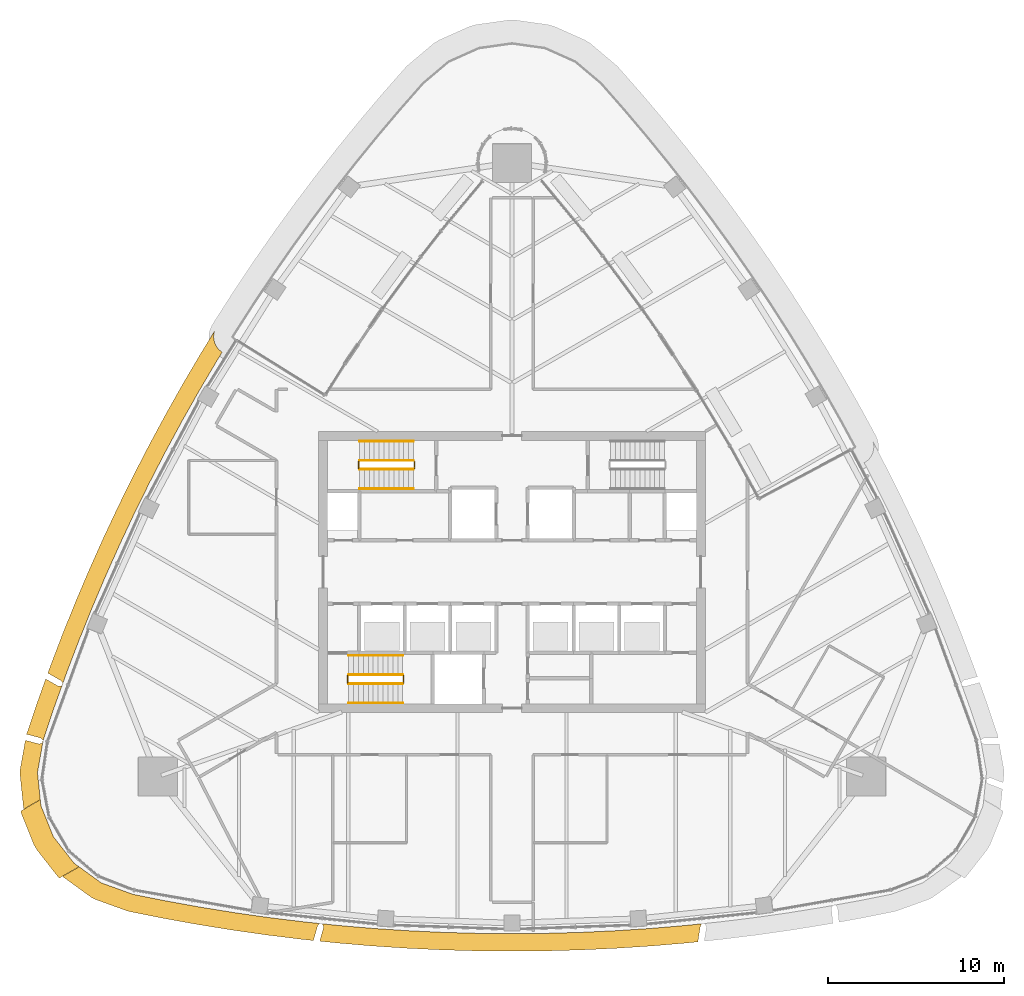
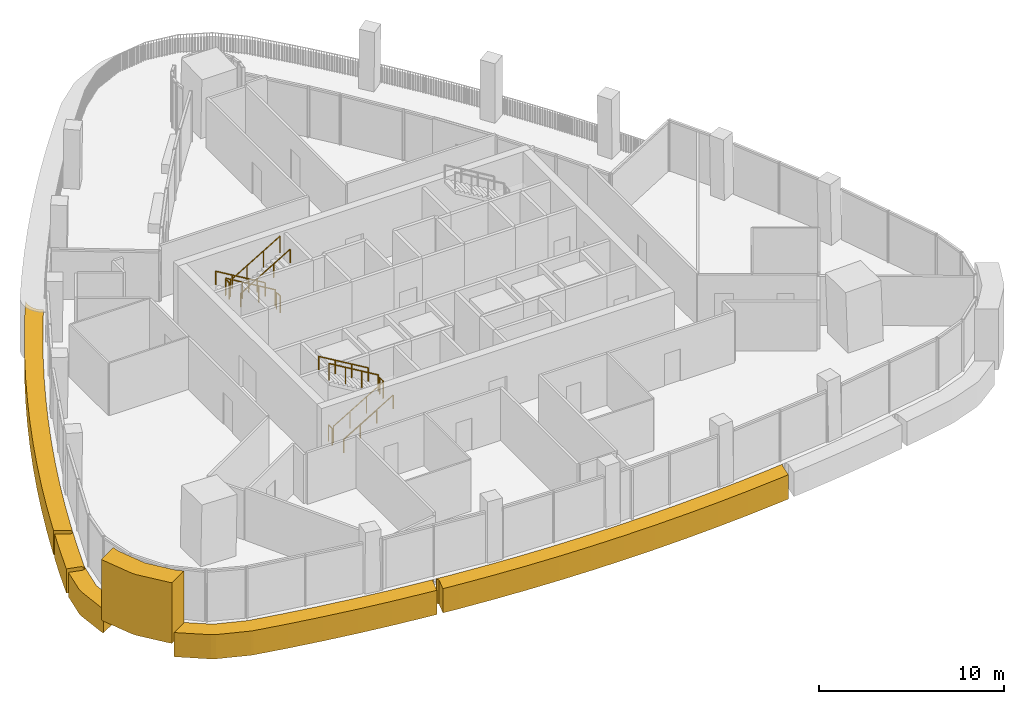
# One storey, part 14 of 18: 12 railings, 4 coverings.
"""IFC4 building model written with IfcOpenShell, lengths in metres."""

import ifcopenshell
import ifcopenshell.guid

model = None  # the IFC model being written
_history = None  # IfcOwnerHistory: only IFC2X3 demands one
_inside = {}  # id of a spatial element -> (the spatial element, [elements in it])
_under = {}  # id of a project, library or spatial element -> (it, [spatial elements below it])
_declared = {}  # id of a project -> (the project, [libraries it declares])
_typed = {}  # id of a type object -> (the type object, [elements of that type])
_made_of = {}  # id of a material, layer set ... -> (it, [elements and type objects made of it])


def new_model(schema):
    """Start an empty IFC model of exactly this schema.

    Asked for "IFC4X3", IfcOpenShell would pick the latest addendum, in which some entities
    have other attributes; the version numbers below select the first issue.
    IFC2X3 requires an IfcOwnerHistory on every rooted entity: one is made here for all.
    """
    global model, _history
    if schema == "IFC4X3":
        model = ifcopenshell.file(schema_version=(4, 3, 0, 0))
    else:
        model = ifcopenshell.file(schema=schema)
    _inside.clear()
    _under.clear()
    _declared.clear()
    _typed.clear()
    _made_of.clear()
    _history = None
    if model.schema == "IFC2X3":
        org = make("IfcOrganization", Name="unknown")
        user = make(
            "IfcPersonAndOrganization",
            ThePerson=make("IfcPerson", FamilyName="unknown"),
            TheOrganization=org,
        )
        app = make(
            "IfcApplication",
            ApplicationDeveloper=org,
            Version="unknown",
            ApplicationFullName="unknown",
            ApplicationIdentifier="unknown",
        )
        _history = make(
            "IfcOwnerHistory",
            OwningUser=user,
            OwningApplication=app,
            ChangeAction="ADDED",
            CreationDate=0,
        )
    return model


def make(cls, **values):
    """One entity of the class cls with the attributes given. An attribute that is None is left unset."""
    return model.create_entity(
        cls, **{name: value for name, value in values.items() if value is not None}
    )


def rooted(cls, **values):
    """An entity with a GlobalId (a new one), such as an element, a storey or a relation."""
    return make(cls, GlobalId=ifcopenshell.guid.new(), OwnerHistory=_history, **values)


def si_unit(unit_type, name, prefix=None):
    """IfcSIUnit, for example si_unit("LENGTHUNIT", "METRE", prefix="MILLI")."""
    return make("IfcSIUnit", UnitType=unit_type, Prefix=prefix, Name=name)


def assignment(units):
    """IfcUnitAssignment: the units of a project."""
    return None if units is None else make("IfcUnitAssignment", Units=units)


def point(xyz):
    """IfcCartesianPoint."""
    return None if xyz is None else make("IfcCartesianPoint", Coordinates=xyz)


def direction(xyz):
    """IfcDirection."""
    return None if xyz is None else make("IfcDirection", DirectionRatios=xyz)


def frame(location, z_axis=None, x_axis=None):
    """IfcAxis2Placement3D, a coordinate frame: its origin and axes. An axis left out is left unset."""
    return make(
        "IfcAxis2Placement3D",
        Location=point(location),
        Axis=direction(z_axis),
        RefDirection=direction(x_axis),
    )


def frame_2d(location, x_axis=None):
    """IfcAxis2Placement2D, a coordinate frame in the plane: its origin and x axis."""
    return make(
        "IfcAxis2Placement2D", Location=point(location), RefDirection=direction(x_axis)
    )


def origin():
    """The frame at (0, 0, 0) with its axes left unset."""
    return frame((0.0, 0.0, 0.0))


def origin_2d():
    """The frame at (0, 0) in the plane with its x axis left unset."""
    return frame_2d((0.0, 0.0))


def place(relative_to, where):
    """IfcLocalPlacement: puts the frame where relative to a parent placement (None: the world)."""
    return make(
        "IfcLocalPlacement", PlacementRelTo=relative_to, RelativePlacement=where
    )


def context(
    kind, dimensions, precision=None, world=None, true_north=None, identifier=None
):
    """IfcGeometricRepresentationContext, for example the 3D "Model" context."""
    return make(
        "IfcGeometricRepresentationContext",
        ContextIdentifier=identifier,
        ContextType=kind,
        CoordinateSpaceDimension=dimensions,
        Precision=precision,
        WorldCoordinateSystem=world,
        TrueNorth=true_north,
    )


def subcontext(parent, identifier, kind, view, scale=None):
    """IfcGeometricRepresentationSubContext, for example "Body" below "Model"."""
    return make(
        "IfcGeometricRepresentationSubContext",
        ContextIdentifier=identifier,
        ContextType=kind,
        ParentContext=parent,
        TargetScale=scale,
        TargetView=view,
    )


def project(units=None, contexts=None):
    """IfcProject with its units and contexts."""
    return rooted(
        "IfcProject",
        Name="project",
        RepresentationContexts=contexts,
        UnitsInContext=assignment(units),
    )


def spatial(cls, under=None, at=None, **own):
    """A site, building, storey or space (cls), placed at a placement, below another one or the project."""
    s = rooted(cls, ObjectPlacement=at, **own)
    if under is not None:
        _under.setdefault(under.id(), (under, []))[1].append(s)
    return s


def polyline(points):
    """IfcPolyline through the points."""
    return make("IfcPolyline", Points=[point(p) for p in points])


def profile(cls, at=None, kind="AREA", **sizes):
    """A parametric profile (cls). Its sizes go by their IFC names, for example OverallWidth=200.0."""
    return make(cls, ProfileType=kind, Position=at, **sizes)


def circle(**sizes):
    """IfcCircleProfileDef."""
    return profile("IfcCircleProfileDef", **sizes)


def outline(outer, holes=None, kind="AREA"):
    """IfcArbitraryClosedProfileDef: a profile drawn as a closed curve; with holes, ...WithVoids."""
    if holes is None:
        return make("IfcArbitraryClosedProfileDef", ProfileType=kind, OuterCurve=outer)
    return make(
        "IfcArbitraryProfileDefWithVoids",
        ProfileType=kind,
        OuterCurve=outer,
        InnerCurves=holes,
    )


def extrude(swept, where, along, depth):
    """IfcExtrudedAreaSolid: the profile swept, set in the frame where, extruded along a direction by depth."""
    return make(
        "IfcExtrudedAreaSolid",
        SweptArea=swept,
        Position=where,
        ExtrudedDirection=direction(along),
        Depth=depth,
    )


def shape(context_of_items, identifier, shape_type, items):
    """IfcShapeRepresentation: the items that make up one representation, for example the "Body"."""
    return make(
        "IfcShapeRepresentation",
        ContextOfItems=context_of_items,
        RepresentationIdentifier=identifier,
        RepresentationType=shape_type,
        Items=items,
    )


def material(Name=None, Category=None):
    """IfcMaterial."""
    return make("IfcMaterial", Name=Name, Category=Category)


def layer(
    of_material, thickness, ventilated=None, Name=None, Category=None, Priority=None
):
    """IfcMaterialLayer: one layer of a wall or slab, of a material (None: an air gap)."""
    return make(
        "IfcMaterialLayer",
        Material=of_material,
        LayerThickness=thickness,
        IsVentilated=ventilated,
        Name=Name,
        Category=Category,
        Priority=Priority,
    )


def layer_set(layers, Name=None):
    """IfcMaterialLayerSet."""
    return make("IfcMaterialLayerSet", MaterialLayers=layers, LayerSetName=Name)


def made_of(thing, what):
    """Note that an element or type object is made of a material, layer set ...; save() writes the relation."""
    if what is not None:
        _made_of.setdefault(what.id(), (what, []))[1].append(thing)
    return thing


def type_object(cls, material=None, **own):
    """A type object (cls), such as IfcWallType, which elements share."""
    return made_of(rooted(cls, **own), material)


def element(
    cls,
    number,
    at=None,
    inside=None,
    cuts=None,
    type_object=None,
    material=None,
    context=None,
    identifier="Body",
    shape_type=None,
    held_by="IfcProductDefinitionShape",
    body=None,
    shapes=None,
    **own,
):
    """One element of the class cls, such as IfcWall. Its Tag is "e" and its number.

    at: its placement. inside: the storey or other place that contains it. cuts: it is an
    opening in that element (IfcRelVoidsElement). A single representation is given by context,
    identifier, shape_type and body (its items); several are given by shapes. held_by: the class
    of the entity that holds the representations. save() writes the other relations.
    """
    e = rooted(cls, Tag="e%d" % number, ObjectPlacement=at, **own)
    if body is not None:
        shapes = [shape(context, identifier, shape_type, body)]
    if shapes is not None:
        e.Representation = make(held_by, Representations=shapes)
    if inside is not None:
        _inside.setdefault(inside.id(), (inside, []))[1].append(e)
    if cuts is not None:
        rooted(
            "IfcRelVoidsElement", RelatingBuildingElement=cuts, RelatedOpeningElement=e
        )
    if type_object is not None:
        _typed.setdefault(type_object.id(), (type_object, []))[1].append(e)
    return made_of(e, material)


def aggregate(whole, parts):
    """IfcRelAggregates: a whole, such as a stair, and the parts it consists of."""
    return rooted("IfcRelAggregates", RelatingObject=whole, RelatedObjects=parts)


def save(model, path):
    """Write the relations noted so far, then the file.

    IfcRelAggregates (storeys below a building ...), IfcRelContainedInSpatialStructure (elements
    in a storey), IfcRelDefinesByType, IfcRelAssociatesMaterial and IfcRelDeclares: one each for
    every whole, place, type object, material and project.
    """
    for whole, parts in _under.values():
        aggregate(whole, parts)
    for where, things in _inside.values():
        rooted(
            "IfcRelContainedInSpatialStructure",
            RelatedElements=things,
            RelatingStructure=where,
        )
    for kind, things in _typed.values():
        rooted("IfcRelDefinesByType", RelatedObjects=things, RelatingType=kind)
    for what, things in _made_of.values():
        rooted("IfcRelAssociatesMaterial", RelatedObjects=things, RelatingMaterial=what)
    for by, libraries in _declared.values():
        rooted("IfcRelDeclares", RelatingContext=by, RelatedDefinitions=libraries)
    model.write(path)


model = new_model("IFC4")

# Units and contexts
model_context = context("Model", 3, precision=1e-05, world=origin(), true_north=direction((0.0, 1.0)))
body_context = subcontext(model_context, "Body", "Model", "MODEL_VIEW")
ifc_project = project(units=[si_unit("LENGTHUNIT", "METRE"), si_unit("AREAUNIT", "SQUARE_METRE"), si_unit("VOLUMEUNIT", "CUBIC_METRE"), si_unit("PLANEANGLEUNIT", "RADIAN"), si_unit("MASSUNIT", "GRAM", prefix="KILO")], contexts=[model_context])

# Site, building, storey
site_placement = place(None, origin())
site = spatial("IfcSite", under=ifc_project, at=site_placement, CompositionType="ELEMENT")
building_placement = place(site_placement, origin())
building = spatial("IfcBuilding", under=site, at=building_placement, Name="Sierra Prisma Convention Tower", CompositionType="ELEMENT")
storey_placement = place(building_placement, frame((0.0, 0.0, 307.0)))
storey = spatial("IfcBuildingStorey", under=building, at=storey_placement, Name="L70", CompositionType="ELEMENT", Elevation=307.0)

# Coverings
ifc_material_1 = material(Name="Aluminium composite bronze anodised", Category="aluminium")
ifc_layer_1 = layer(ifc_material_1, 1.199951171875)
ifc_layer_set_1 = layer_set([ifc_layer_1], Name="Bronze corner pier")
covering_type_1 = type_object("IfcCoveringType", Name="Bronze corner pier", PredefinedType="CLADDING", material=ifc_layer_set_1)
covering_1_placement = place(storey_placement, frame((0.0, 0.0, -0.60009765625)))
element("IfcCovering", 1, at=covering_1_placement, inside=storey, type_object=covering_type_1, Name="Corner pier SW L70.1", PredefinedType="CLADDING", context=body_context, shape_type="SweptSolid", body=[
    extrude(outline(polyline([(-24.640625, -16.7666015625), (-25.75439453125, -17.40966796875), (-25.863037109375, -17.30517578125), (-27.037353515625, -15.803466796875), (-27.204833984375, -15.51318359375), (-27.918212890625, -13.74560546875), (-27.95458984375, -13.59912109375), (-26.8408203125, -12.9560546875), (-26.805419921875, -13.29638671875), (-26.092041015625, -15.064208984375), (-24.917724609375, -16.56591796875), (-24.640625, -16.7666015625)])), origin(), (0.0, 0.0, 1.0), 4.0),
])
ifc_material_2 = material(Name="Aluminium composite bronze anodised", Category="aluminium")
ifc_layer_2 = layer(ifc_material_2, 1.0)
ifc_layer_set_2 = layer_set([ifc_layer_2], Name="Bronze spandrel band")
covering_type_2 = type_object("IfcCoveringType", Name="Bronze spandrel band", PredefinedType="CLADDING", material=ifc_layer_set_2)
covering_2_placement = place(storey_placement, frame((0.0, 0.0, -1.60009765625)))
element("IfcCovering", 2, at=covering_2_placement, inside=storey, type_object=covering_type_2, Name="Spandrel band L70.1", PredefinedType="CLADDING", context=body_context, shape_type="SweptSolid", body=[
    extrude(outline(polyline([(-26.916015625, -9.779296875), (-26.910888671875, -9.77978515625), (-26.906005859375, -9.77978515625), (-26.90087890625, -9.779296875), (-26.89599609375, -9.778564453125), (-26.89111328125, -9.777099609375), (-26.7490234375, -9.726806640625), (-26.74462890625, -9.724853515625), (-26.740478515625, -9.72265625), (-26.736572265625, -9.719970703125), (-26.732666015625, -9.717041015625), (-26.729248046875, -9.713623046875), (-26.726318359375, -9.7099609375), (-26.723388671875, -9.7060546875), (-26.72119140625, -9.701904296875), (-26.71923828125, -9.697509765625), (-26.7177734375, -9.693115234375), (-26.716552734375, -9.688232421875), (-26.698974609375, -9.58984375), (-26.698486328125, -9.585205078125), (-26.6982421875, -9.580078125), (-26.698486328125, -9.575439453125), (-26.699462890625, -9.570556640625), (-26.70068359375, -9.56591796875), (-26.702392578125, -9.561279296875), (-26.70458984375, -9.556884765625), (-26.70703125, -9.552978515625), (-26.7099609375, -9.549072265625), (-26.71337890625, -9.54541015625), (-26.8076171875, -9.452880859375), (-26.811279296875, -9.449462890625), (-26.8154296875, -9.446533203125), (-26.820068359375, -9.444091796875), (-26.82470703125, -9.44189453125), (-26.82958984375, -9.440185546875), (-27.62060546875, -9.2265625), (-27.61474609375, -9.20361328125), (-26.98193359375, -7.33154296875), (-26.9755859375, -7.31396484375), (-26.533203125, -6.081787109375), (-25.831787109375, -6.48291015625), (-25.82763671875, -6.485107421875), (-25.823486328125, -6.48681640625), (-25.81884765625, -6.488037109375), (-25.814453125, -6.489013671875), (-25.809814453125, -6.489501953125), (-25.80517578125, -6.489501953125), (-25.800537109375, -6.489013671875), (-25.642333984375, -6.46826171875), (-25.637451171875, -6.46728515625), (-25.6328125, -6.4658203125), (-25.628173828125, -6.464111328125), (-25.623779296875, -6.461669921875), (-25.619384765625, -6.458984375), (-25.615478515625, -6.455810546875), (-25.612060546875, -6.452392578125), (-25.60888671875, -6.448486328125), (-25.606201171875, -6.444580078125), (-25.603759765625, -6.440185546875), (-25.601806640625, -6.435546875), (-25.568115234375, -6.34130859375), (-25.566650390625, -6.33642578125), (-25.565673828125, -6.331298828125), (-25.565185546875, -6.326171875), (-25.565185546875, -6.321044921875), (-25.56591796875, -6.31591796875), (-25.56689453125, -6.310791015625), (-25.568603515625, -6.305908203125), (-25.57080078125, -6.30126953125), (-25.573486328125, -6.296875), (-25.64111328125, -6.19482421875), (-25.64404296875, -6.19091796875), (-25.647216796875, -6.1875), (-25.650390625, -6.184326171875), (-25.654296875, -6.181396484375), (-25.658203125, -6.178955078125), (-26.4130859375, -5.747314453125), (-26.3076171875, -5.4541015625), (-26.30126953125, -5.4365234375), (-25.598388671875, -3.58984375), (-25.591552734375, -3.572265625), (-24.85400390625, -1.739013671875), (-24.8466796875, -1.7216796875), (-24.074951171875, 0.097412109375), (-24.0673828125, 0.11474609375), (-23.261474609375, 1.9189453125), (-23.253662109375, 1.93603515625), (-22.413818359375, 3.724609375), (-22.40576171875, 3.74169921875), (-21.532470703125, 5.51416015625), (-21.524169921875, 5.531005859375), (-20.61767578125, 7.286865234375), (-20.60888671875, 7.303466796875), (-19.66943359375, 9.0419921875), (-19.660400390625, 9.05859375), (-18.6884765625, 10.779052734375), (-18.67919921875, 10.79541015625), (-17.675048828125, 12.497314453125), (-17.665283203125, 12.51318359375), (-16.911376953125, 13.738037109375), (-16.94091796875, 13.645263671875), (-16.961669921875, 13.547607421875), (-16.97265625, 13.448486328125), (-16.97412109375, 13.348876953125), (-16.9658203125, 13.24951171875), (-16.94775390625, 13.1513671875), (-16.920166015625, 13.055419921875), (-16.883544921875, 12.962890625), (-16.837890625, 12.874267578125), (-16.78369140625, 12.790283203125), (-16.7216796875, 12.712158203125), (-16.652587890625, 12.640380859375), (-16.576416015625, 12.575927734375), (-16.49462890625, 12.51904296875), (-16.489501953125, 12.515869140625), (-16.813720703125, 11.989013671875), (-17.81787109375, 10.287109375), (-18.789794921875, 8.566650390625), (-19.72900390625, 6.828125), (-20.635498046875, 5.072265625), (-21.5087890625, 3.2998046875), (-22.348388671875, 1.510986328125), (-23.154296875, -0.293212890625), (-23.92626953125, -2.1123046875), (-24.663818359375, -3.9453125), (-25.36669921875, -5.792236328125), (-26.03466796875, -7.65185546875), (-26.66748046875, -9.523681640625), (-27.002197265625, -11.400390625), (-26.841796875, -12.9453125), (-27.778564453125, -13.486083984375), (-27.800048828125, -13.39990234375), (-27.996826171875, -11.50390625), (-27.98681640625, -11.224853515625), (-27.69140625, -9.56982421875), (-26.9208984375, -9.7783203125), (-26.916015625, -9.779296875)])), origin(), (0.0, 0.0, 1.0), 1.60009765625),
])
covering_3_placement = place(storey_placement, frame((0.0, 0.0, -1.60009765625)))
element("IfcCovering", 3, at=covering_3_placement, inside=storey, type_object=covering_type_2, Name="Spandrel band L70.2", PredefinedType="CLADDING", context=body_context, shape_type="SweptSolid", body=[
    extrude(outline(polyline([(-21.58154296875, -18.332763671875), (-19.64404296875, -18.720703125), (-17.699462890625, -19.072021484375), (-15.748779296875, -19.38671875), (-13.792236328125, -19.66455078125), (-11.8310546875, -19.90576171875), (-10.935546875, -19.998779296875), (-10.93896484375, -19.999267578125), (-10.944091796875, -20.00048828125), (-10.94873046875, -20.00244140625), (-10.953369140625, -20.004638671875), (-10.957763671875, -20.007568359375), (-10.9619140625, -20.0107421875), (-10.965576171875, -20.014404296875), (-11.04833984375, -20.1044921875), (-11.051513671875, -20.108154296875), (-11.053955078125, -20.112060546875), (-11.056396484375, -20.115966796875), (-11.05810546875, -20.120361328125), (-11.0595703125, -20.124755859375), (-11.2998046875, -20.96630859375), (-11.934326171875, -20.900390625), (-11.953125, -20.898193359375), (-13.914306640625, -20.6572265625), (-13.93310546875, -20.65478515625), (-15.889404296875, -20.376708984375), (-15.907958984375, -20.373779296875), (-17.85888671875, -20.05908203125), (-17.877197265625, -20.055908203125), (-19.82177734375, -19.70458984375), (-19.84033203125, -19.701171875), (-21.77783203125, -19.313232421875), (-21.921630859375, -19.273193359375), (-23.71435546875, -18.624755859375), (-23.9609375, -18.494140625), (-25.504638671875, -17.37548828125), (-25.568603515625, -17.31396484375), (-24.6318359375, -16.773193359375), (-23.374267578125, -17.684326171875), (-21.58154296875, -18.332763671875)])), origin(), (0.0, 0.0, 1.0), 1.60009765625),
])
covering_4_placement = place(storey_placement, frame((0.0, 0.0, -1.60009765625)))
element("IfcCovering", 4, at=covering_4_placement, inside=storey, type_object=covering_type_2, Name="Spandrel band L70.5", PredefinedType="CLADDING", context=body_context, shape_type="SweptSolid", body=[
    extrude(outline(polyline([(0.009521484375, -21.57421875), (-0.009521484375, -21.57421875), (-1.9853515625, -21.5556640625), (-2.004150390625, -21.555419921875), (-3.9794921875, -21.49951171875), (-3.998291015625, -21.498779296875), (-5.971923828125, -21.406005859375), (-5.99072265625, -21.40478515625), (-7.96240234375, -21.27490234375), (-7.981201171875, -21.2734375), (-9.9501953125, -21.106201171875), (-9.968994140625, -21.1044921875), (-10.9462890625, -21.0029296875), (-10.72314453125, -20.220703125), (-10.721923828125, -20.21630859375), (-10.721435546875, -20.211669921875), (-10.72119140625, -20.20703125), (-10.721435546875, -20.202392578125), (-10.721923828125, -20.19775390625), (-10.72314453125, -20.193115234375), (-10.724609375, -20.188720703125), (-10.78271484375, -20.040283203125), (-10.78466796875, -20.035888671875), (-10.787109375, -20.031494140625), (-10.7900390625, -20.02734375), (-10.79345703125, -20.023681640625), (-10.797119140625, -20.020263671875), (-10.801025390625, -20.017333984375), (-10.80517578125, -20.0146484375), (-10.809814453125, -20.012451171875), (-10.812255859375, -20.011474609375), (-9.86572265625, -20.10986328125), (-7.896728515625, -20.277099609375), (-5.925048828125, -20.406982421875), (-3.951171875, -20.5), (-1.975830078125, -20.5556640625), (0.0, -20.57421875), (1.975830078125, -20.5556640625), (3.951171875, -20.5), (5.925048828125, -20.406982421875), (7.896728515625, -20.277099609375), (9.86572265625, -20.10986328125), (10.812255859375, -20.011474609375), (10.809814453125, -20.012451171875), (10.805419921875, -20.0146484375), (10.801025390625, -20.01708984375), (10.797119140625, -20.020263671875), (10.79345703125, -20.023681640625), (10.790283203125, -20.02734375), (10.787353515625, -20.03125), (10.72607421875, -20.125732421875), (10.723388671875, -20.13037109375), (10.72119140625, -20.135009765625), (10.719482421875, -20.139892578125), (10.718505859375, -20.14501953125), (10.575439453125, -21.04150390625), (9.968994140625, -21.1044921875), (9.9501953125, -21.106201171875), (7.981201171875, -21.2734375), (7.96240234375, -21.27490234375), (5.99072265625, -21.40478515625), (5.971923828125, -21.406005859375), (3.998291015625, -21.498779296875), (3.9794921875, -21.49951171875), (2.004150390625, -21.555419921875), (1.9853515625, -21.5556640625), (0.009521484375, -21.57421875)])), origin(), (0.0, 0.0, 1.0), 1.60009765625),
])

# Railings
ifc_material_3 = material(Name="Stainless steel", Category="steel")
railing_type_1 = type_object("IfcRailingType", Name="Exit stair handrail", PredefinedType="HANDRAIL", material=ifc_material_3)
railing_1_placement = place(storey_placement, frame((-9.300048828125, -7.449951171875, 0.166748046875)))
element("IfcRailing", 5, at=railing_1_placement, inside=storey, type_object=railing_type_1, Name="L70 S1 stair handrail 1", PredefinedType="HANDRAIL", context=body_context, shape_type="SweptSolid", body=[
    extrude(circle(Radius=0.02392578125, at=origin_2d()), frame((0.0, 0.0, 0.8759765625), z_axis=(0.859308565015, 0.0, 0.511457515432), x_axis=(0.0, 1.0, 0.0)), (0.0, 0.0, 1.0), 3.58447265625),
    extrude(circle(Radius=0.02099609375, at=origin_2d()), origin(), (0.0, 0.0, 1.0), 0.851806640625),
    extrude(circle(Radius=0.02099609375, at=origin_2d()), frame((1.026611328125, 0.0, 0.611083984375)), (0.0, 0.0, 1.0), 0.851806640625),
    extrude(circle(Radius=0.02099609375, at=origin_2d()), frame((2.053466796875, 0.0, 1.22216796875)), (0.0, 0.0, 1.0), 0.851806640625),
    extrude(circle(Radius=0.02099609375, at=origin_2d()), frame((3.080078125, 0.0, 1.833251953125)), (0.0, 0.0, 1.0), 0.851806640625),
])
railing_2_placement = place(storey_placement, frame((-6.219970703125, -4.75, 2.166748046875)))
element("IfcRailing", 6, at=railing_2_placement, inside=storey, type_object=railing_type_1, Name="L70 S1 stair handrail 2", PredefinedType="HANDRAIL", context=body_context, shape_type="SweptSolid", body=[
    extrude(circle(Radius=0.02392578125, at=origin_2d()), frame((0.0, 0.0, 0.8759765625), z_axis=(-0.859308565015, 0.0, 0.511457515432), x_axis=(0.0, -1.0, 0.0)), (0.0, 0.0, 1.0), 3.58447265625),
    extrude(circle(Radius=0.02099609375, at=origin_2d()), origin(), (0.0, 0.0, 1.0), 0.851806640625),
    extrude(circle(Radius=0.02099609375, at=origin_2d()), frame((-1.026611328125, 0.0, 0.611083984375)), (0.0, 0.0, 1.0), 0.851806640625),
    extrude(circle(Radius=0.02099609375, at=origin_2d()), frame((-2.053466796875, 0.0, 1.22216796875)), (0.0, 0.0, 1.0), 0.851806640625),
    extrude(circle(Radius=0.02099609375, at=origin_2d()), frame((-3.080078125, 0.0, 1.833251953125)), (0.0, 0.0, 1.0), 0.851806640625),
])
railing_3_placement = place(storey_placement, frame((-5.60009765625, 7.449951171875, 0.166748046875)))
element("IfcRailing", 7, at=railing_3_placement, inside=storey, type_object=railing_type_1, Name="L70 S3 stair handrail 1", PredefinedType="HANDRAIL", context=body_context, shape_type="SweptSolid", body=[
    extrude(circle(Radius=0.02392578125, at=origin_2d()), frame((0.0, 0.0, 0.8759765625), z_axis=(-0.859290745958, 0.0, 0.51148745235), x_axis=(0.0, -1.0, 0.0)), (0.0, 0.0, 1.0), 3.584228515625),
    extrude(circle(Radius=0.02099609375, at=origin_2d()), origin(), (0.0, 0.0, 1.0), 0.851806640625),
    extrude(circle(Radius=0.02099609375, at=origin_2d()), frame((-1.026611328125, 0.0, 0.611083984375)), (0.0, 0.0, 1.0), 0.851806640625),
    extrude(circle(Radius=0.02099609375, at=origin_2d()), frame((-2.05322265625, 0.0, 1.22216796875)), (0.0, 0.0, 1.0), 0.851806640625),
    extrude(circle(Radius=0.02099609375, at=origin_2d()), frame((-3.079833984375, 0.0, 1.833251953125)), (0.0, 0.0, 1.0), 0.851806640625),
])
railing_4_placement = place(storey_placement, frame((-8.679931640625, 4.75, 2.166748046875)))
element("IfcRailing", 8, at=railing_4_placement, inside=storey, type_object=railing_type_1, Name="L70 S3 stair handrail 2", PredefinedType="HANDRAIL", context=body_context, shape_type="SweptSolid", body=[
    extrude(circle(Radius=0.02392578125, at=origin_2d()), frame((0.0, 0.0, 0.8759765625), z_axis=(0.859290745958, 0.0, 0.51148745235), x_axis=(0.0, 1.0, 0.0)), (0.0, 0.0, 1.0), 3.584228515625),
    extrude(circle(Radius=0.02099609375, at=origin_2d()), origin(), (0.0, 0.0, 1.0), 0.851806640625),
    extrude(circle(Radius=0.02099609375, at=origin_2d()), frame((1.026611328125, 0.0, 0.611083984375)), (0.0, 0.0, 1.0), 0.851806640625),
    extrude(circle(Radius=0.02099609375, at=origin_2d()), frame((2.05322265625, 0.0, 1.22216796875)), (0.0, 0.0, 1.0), 0.851806640625),
    extrude(circle(Radius=0.02099609375, at=origin_2d()), frame((3.079833984375, 0.0, 1.833251953125)), (0.0, 0.0, 1.0), 0.851806640625),
])
ifc_material_4 = material(Name="Stainless steel", Category="steel")
railing_type_2 = type_object("IfcRailingType", Name="Stair guard 1100", PredefinedType="GUARDRAIL", material=ifc_material_4)
railing_5_placement = place(storey_placement, frame((-9.300048828125, -6.35009765625, 0.166748046875)))
element("IfcRailing", 9, at=railing_5_placement, inside=storey, type_object=railing_type_2, Name="L70 S1 stair guard 1", PredefinedType="GUARDRAIL", context=body_context, shape_type="SweptSolid", body=[
    extrude(circle(Radius=0.02392578125, at=origin_2d()), frame((0.0, 0.0, 1.076171875), z_axis=(0.859308565015, 0.0, 0.511457515432), x_axis=(0.0, 1.0, 0.0)), (0.0, 0.0, 1.0), 3.58447265625),
    extrude(circle(Radius=0.02099609375, at=origin_2d()), origin(), (0.0, 0.0, 1.0), 1.052001953125),
    extrude(circle(Radius=0.02099609375, at=origin_2d()), frame((1.026611328125, 0.0, 0.611083984375)), (0.0, 0.0, 1.0), 1.052001953125),
    extrude(circle(Radius=0.02099609375, at=origin_2d()), frame((2.053466796875, 0.0, 1.22216796875)), (0.0, 0.0, 1.0), 1.052001953125),
    extrude(circle(Radius=0.02099609375, at=origin_2d()), frame((3.080078125, 0.0, 1.833251953125)), (0.0, 0.0, 1.0), 1.052001953125),
])
railing_6_placement = place(storey_placement, frame((-6.169921875, -6.300048828125, 2.0)))
element("IfcRailing", 10, at=railing_6_placement, inside=storey, type_object=railing_type_2, Name="L70 S1 stair guard 2", PredefinedType="GUARDRAIL", context=body_context, shape_type="SweptSolid", body=[
    extrude(circle(Radius=0.02392578125, at=origin_2d()), frame((0.0, 0.0, 1.076171875), z_axis=(0.0, 1.0, 0.0), x_axis=(-1.0, 0.0, 0.0)), (0.0, 0.0, 1.0), 0.400146484375),
    extrude(circle(Radius=0.02099609375, at=origin_2d()), origin(), (0.0, 0.0, 1.0), 1.052001953125),
    extrude(circle(Radius=0.02099609375, at=origin_2d()), frame((0.0, 0.400146484375, 0.0)), (0.0, 0.0, 1.0), 1.052001953125),
])
railing_7_placement = place(storey_placement, frame((-6.219970703125, -5.85009765625, 2.166748046875)))
element("IfcRailing", 11, at=railing_7_placement, inside=storey, type_object=railing_type_2, Name="L70 S1 stair guard 3", PredefinedType="GUARDRAIL", context=body_context, shape_type="SweptSolid", body=[
    extrude(circle(Radius=0.02392578125, at=origin_2d()), frame((0.0, 0.0, 1.076171875), z_axis=(-0.859308565015, 0.0, 0.511457515432), x_axis=(0.0, -1.0, 0.0)), (0.0, 0.0, 1.0), 3.58447265625),
    extrude(circle(Radius=0.02099609375, at=origin_2d()), origin(), (0.0, 0.0, 1.0), 1.052001953125),
    extrude(circle(Radius=0.02099609375, at=origin_2d()), frame((-1.026611328125, 0.0, 0.611083984375)), (0.0, 0.0, 1.0), 1.052001953125),
    extrude(circle(Radius=0.02099609375, at=origin_2d()), frame((-2.053466796875, 0.0, 1.22216796875)), (0.0, 0.0, 1.0), 1.052001953125),
    extrude(circle(Radius=0.02099609375, at=origin_2d()), frame((-3.080078125, 0.0, 1.833251953125)), (0.0, 0.0, 1.0), 1.052001953125),
])
railing_8_placement = place(storey_placement, frame((-9.35009765625, -6.300048828125, 0.0)))
element("IfcRailing", 12, at=railing_8_placement, inside=storey, type_object=railing_type_2, Name="L70 S1 stair guard 4", PredefinedType="GUARDRAIL", context=body_context, shape_type="SweptSolid", body=[
    extrude(circle(Radius=0.02392578125, at=origin_2d()), frame((0.0, 0.0, 1.076171875), z_axis=(0.0, 1.0, 0.0), x_axis=(-1.0, 0.0, 0.0)), (0.0, 0.0, 1.0), 0.400146484375),
    extrude(circle(Radius=0.02099609375, at=origin_2d()), origin(), (0.0, 0.0, 1.0), 1.052001953125),
    extrude(circle(Radius=0.02099609375, at=origin_2d()), frame((0.0, 0.400146484375, 0.0)), (0.0, 0.0, 1.0), 1.052001953125),
])
railing_9_placement = place(storey_placement, frame((-5.60009765625, 6.35009765625, 0.166748046875)))
element("IfcRailing", 13, at=railing_9_placement, inside=storey, type_object=railing_type_2, Name="L70 S3 stair guard 1", PredefinedType="GUARDRAIL", context=body_context, shape_type="SweptSolid", body=[
    extrude(circle(Radius=0.02392578125, at=origin_2d()), frame((0.0, 0.0, 1.076171875), z_axis=(-0.859290745958, 0.0, 0.51148745235), x_axis=(0.0, -1.0, 0.0)), (0.0, 0.0, 1.0), 3.584228515625),
    extrude(circle(Radius=0.02099609375, at=origin_2d()), origin(), (0.0, 0.0, 1.0), 1.052001953125),
    extrude(circle(Radius=0.02099609375, at=origin_2d()), frame((-1.026611328125, 0.0, 0.611083984375)), (0.0, 0.0, 1.0), 1.052001953125),
    extrude(circle(Radius=0.02099609375, at=origin_2d()), frame((-2.05322265625, 0.0, 1.22216796875)), (0.0, 0.0, 1.0), 1.052001953125),
    extrude(circle(Radius=0.02099609375, at=origin_2d()), frame((-3.079833984375, 0.0, 1.833251953125)), (0.0, 0.0, 1.0), 1.052001953125),
])
railing_10_placement = place(storey_placement, frame((-8.72998046875, 6.300048828125, 2.0)))
element("IfcRailing", 14, at=railing_10_placement, inside=storey, type_object=railing_type_2, Name="L70 S3 stair guard 2", PredefinedType="GUARDRAIL", context=body_context, shape_type="SweptSolid", body=[
    extrude(circle(Radius=0.02392578125, at=origin_2d()), frame((0.0, 0.0, 1.076171875), z_axis=(0.0, -1.0, 0.0), x_axis=(1.0, 0.0, 0.0)), (0.0, 0.0, 1.0), 0.400146484375),
    extrude(circle(Radius=0.02099609375, at=origin_2d()), origin(), (0.0, 0.0, 1.0), 1.052001953125),
    extrude(circle(Radius=0.02099609375, at=origin_2d()), frame((0.0, -0.400146484375, 0.0)), (0.0, 0.0, 1.0), 1.052001953125),
])
railing_11_placement = place(storey_placement, frame((-8.679931640625, 5.85009765625, 2.166748046875)))
element("IfcRailing", 15, at=railing_11_placement, inside=storey, type_object=railing_type_2, Name="L70 S3 stair guard 3", PredefinedType="GUARDRAIL", context=body_context, shape_type="SweptSolid", body=[
    extrude(circle(Radius=0.02392578125, at=origin_2d()), frame((0.0, 0.0, 1.076171875), z_axis=(0.859290745958, 0.0, 0.51148745235), x_axis=(0.0, 1.0, 0.0)), (0.0, 0.0, 1.0), 3.584228515625),
    extrude(circle(Radius=0.02099609375, at=origin_2d()), origin(), (0.0, 0.0, 1.0), 1.052001953125),
    extrude(circle(Radius=0.02099609375, at=origin_2d()), frame((1.026611328125, 0.0, 0.611083984375)), (0.0, 0.0, 1.0), 1.052001953125),
    extrude(circle(Radius=0.02099609375, at=origin_2d()), frame((2.05322265625, 0.0, 1.22216796875)), (0.0, 0.0, 1.0), 1.052001953125),
    extrude(circle(Radius=0.02099609375, at=origin_2d()), frame((3.079833984375, 0.0, 1.833251953125)), (0.0, 0.0, 1.0), 1.052001953125),
])
railing_12_placement = place(storey_placement, frame((-5.550048828125, 6.300048828125, 0.0)))
element("IfcRailing", 16, at=railing_12_placement, inside=storey, type_object=railing_type_2, Name="L70 S3 stair guard 4", PredefinedType="GUARDRAIL", context=body_context, shape_type="SweptSolid", body=[
    extrude(circle(Radius=0.02392578125, at=origin_2d()), frame((0.0, 0.0, 1.076171875), z_axis=(0.0, -1.0, 0.0), x_axis=(1.0, 0.0, 0.0)), (0.0, 0.0, 1.0), 0.400146484375),
    extrude(circle(Radius=0.02099609375, at=origin_2d()), origin(), (0.0, 0.0, 1.0), 1.052001953125),
    extrude(circle(Radius=0.02099609375, at=origin_2d()), frame((0.0, -0.400146484375, 0.0)), (0.0, 0.0, 1.0), 1.052001953125),
])

save(model, "model.ifc")
